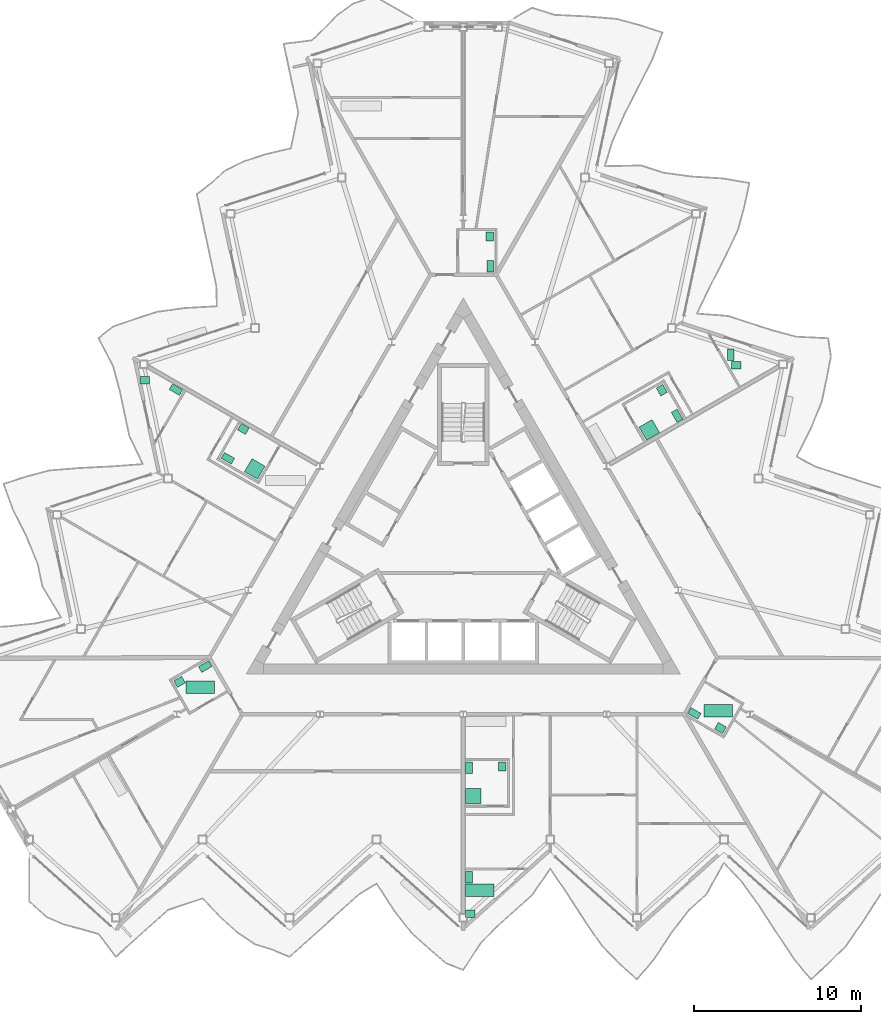
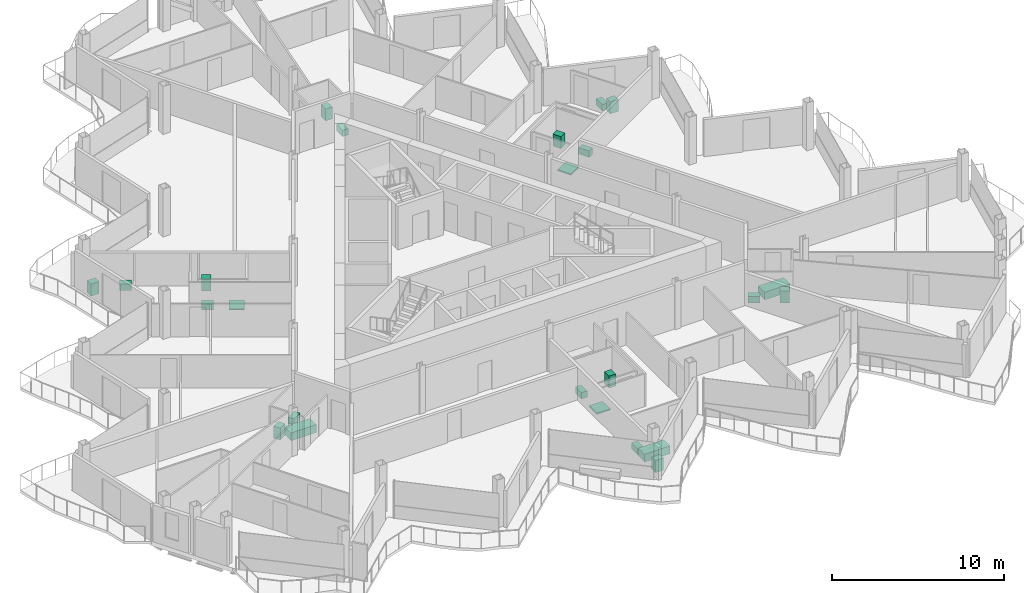
# One storey, part 25 of 26: 24 sanitary terminals.
"""IFC4 building model written with IfcOpenShell, lengths in metres."""

from ifc_helpers import new_model, si_unit, direction, frame, origin, origin_2d, place, context, subcontext, project, spatial, rectangle, extrude, material, type_object, element, save


model = new_model("IFC4")

# Units and contexts
model_context = context("Model", 3, precision=1e-05, world=origin(), true_north=direction((0.0, 1.0)))
body_context = subcontext(model_context, "Body", "Model", "MODEL_VIEW")
ifc_project = project(units=[si_unit("LENGTHUNIT", "METRE"), si_unit("AREAUNIT", "SQUARE_METRE"), si_unit("VOLUMEUNIT", "CUBIC_METRE"), si_unit("PLANEANGLEUNIT", "RADIAN"), si_unit("MASSUNIT", "GRAM", prefix="KILO")], contexts=[model_context])

# Site, building, storey
site_placement = place(None, origin())
site = spatial("IfcSite", under=ifc_project, at=site_placement, CompositionType="ELEMENT")
building_placement = place(site_placement, origin())
building = spatial("IfcBuilding", under=site, at=building_placement, Name="Cormorant Prow Tower", CompositionType="ELEMENT")
storey_placement = place(building_placement, frame((0.0, 0.0, 364.39990234375)))
storey = spatial("IfcBuildingStorey", under=building, at=storey_placement, Name="L81", CompositionType="ELEMENT", Elevation=364.39990234375)

# Sanitary terminals
ifc_material_1 = material(Name="Vitreous china")
sanitary_terminal_type_1 = type_object("IfcSanitaryTerminalType", Name="Bath 1700x750", PredefinedType="BATH", material=ifc_material_1)
for number, where, z_axis, x_axis, name in (
    (1, (0.9951171875, -20.451171875, 0.0), (0.0, 0.0, 1.0), (1.0, 0.0, 0.0), "Bath"),
    (2, (15.260498046875, -9.70068359375, 0.0), (0.0, 0.0, 1.0), (1.0, 0.0, 0.0), "Bath"),
    (3, (-15.75244140625, -8.29248046875, 0.0), (0.0, 0.0, 1.0), (1.0, 0.0, 0.0), "Bath"),
):
    element("IfcSanitaryTerminal", number, at=place(storey_placement, frame(where, z_axis=z_axis, x_axis=x_axis)), inside=storey, type_object=sanitary_terminal_type_1, Name=name, PredefinedType="BATH", context=body_context, shape_type="SweptSolid", body=[
        extrude(rectangle(XDim=1.699951171875, YDim=0.75, at=origin_2d()), origin(), (0.0, 0.0, 1.0), 0.550048828125),
    ])
ifc_material_2 = material(Name="Vitreous china")
sanitary_terminal_type_2 = type_object("IfcSanitaryTerminalType", Name="Shower tray 900x900", PredefinedType="SHOWER", material=ifc_material_2)
for number, where, z_axis, x_axis, name in (
    (4, (0.594970703125, -14.810546875, 0.0), (0.0, 0.0, 1.0), (0.0, 1.0, 0.0), "Shower tray"),
    (5, (11.134521484375, 7.115478515625, 0.0), (0.0, 0.0, 1.0), (-0.5, 0.866025403784, 0.0), "Shower tray"),
    (6, (-12.484619140625, 4.77734375, 0.0), (0.0, 0.0, 1.0), (-0.866025403784, 0.5, 0.0), "Shower tray"),
):
    element("IfcSanitaryTerminal", number, at=place(storey_placement, frame(where, z_axis=z_axis, x_axis=x_axis)), inside=storey, type_object=sanitary_terminal_type_2, Name=name, PredefinedType="SHOWER", context=body_context, shape_type="SweptSolid", body=[
        extrude(rectangle(XDim=0.89990234375, YDim=0.89990234375, at=origin_2d()), origin(), (0.0, 0.0, 1.0), 0.10009765625),
    ])
ifc_material_3 = material(Name="Vitreous china")
sanitary_terminal_type_3 = type_object("IfcSanitaryTerminalType", Name="Wash basin 550x450", PredefinedType="WASHHANDBASIN", material=ifc_material_3)
for number, where, z_axis, x_axis, name in (
    (7, (0.419921875, -21.85107421875, 0.0), (0.0, 0.0, 1.0), (1.0, 0.0, 0.0), "Wash basin"),
    (8, (2.330078125, -13.025634765625, 0.0), (0.0, 0.0, 1.0), (0.0, -1.0, 0.0), "Wash basin"),
    (9, (15.390380859375, -10.72509765625, 0.0), (0.0, 0.0, 1.0), (-0.866025403784, 0.5, 0.0), "Wash basin"),
    (10, (16.337158203125, 10.987060546875, 0.0), (0.0, 0.0, 1.0), (1.0, 0.0, 0.0), "Wash basin"),
    (11, (11.881103515625, 9.4921875, 0.0), (0.0, 0.0, 1.0), (0.5, -0.866025403784, 0.0), "Wash basin"),
    (12, (1.593017578125, 18.691162109375, 0.0), (0.0, 0.0, 1.0), (0.0, -1.0, 0.0), "Wash basin"),
    (13, (-19.0673828125, 10.084228515625, 0.0), (0.0, 0.0, 1.0), (1.0, 0.0, 0.0), "Wash basin"),
    (14, (-13.162841796875, 7.17236328125, 0.0), (0.0, 0.0, 1.0), (0.866025403784, -0.5, 0.0), "Wash basin"),
    (15, (-16.9833984375, -7.966064453125, 0.0), (0.0, 0.0, 1.0), (0.866025403784, 0.5, 0.0), "Wash basin"),
):
    element("IfcSanitaryTerminal", number, at=place(storey_placement, frame(where, z_axis=z_axis, x_axis=x_axis)), inside=storey, type_object=sanitary_terminal_type_3, Name=name, PredefinedType="WASHHANDBASIN", context=body_context, shape_type="SweptSolid", body=[
        extrude(rectangle(XDim=0.550048828125, YDim=0.449951171875, at=origin_2d()), origin(), (0.0, 0.0, 1.0), 0.85009765625),
    ])
ifc_material_4 = material(Name="Vitreous china")
sanitary_terminal_type_4 = type_object("IfcSanitaryTerminalType", Name="Water closet 400x700", PredefinedType="WCSEAT", material=ifc_material_4)
for number, where, z_axis, x_axis, name in (
    (16, (0.344970703125, -19.659423828125, 0.0), (0.0, 0.0, 1.0), (1.0, 0.0, 0.0), "Water closet"),
    (17, (0.344970703125, -13.1005859375, 0.0), (0.0, 0.0, 1.0), (1.0, 0.0, 0.0), "Water closet"),
    (18, (13.83203125, -9.854248046875, 0.0), (0.0, 0.0, 1.0), (0.5, 0.866025403784, 0.0), "Water closet"),
    (19, (16.01220703125, 11.612060546875, 0.0), (0.0, 0.0, 1.0), (1.0, 0.0, 0.0), "Water closet"),
    (20, (12.79541015625, 7.958984375, 0.0), (0.0, 0.0, 1.0), (-0.866025403784, -0.5, 0.0), "Water closet"),
    (21, (1.617919921875, 16.906005859375, 0.0), (0.0, 0.0, 1.0), (-1.0, 0.0, 0.0), "Water closet"),
    (22, (-17.197998046875, 9.531005859375, 0.0), (0.0, 0.0, 1.0), (-0.5, -0.866025403784, 0.0), "Water closet"),
    (23, (-14.09033203125, 5.415771484375, 0.0), (0.0, 0.0, 1.0), (0.5, 0.866025403784, 0.0), "Water closet"),
    (24, (-15.4501953125, -7.0517578125, 0.0), (0.0, 0.0, 1.0), (0.5, -0.866025403784, 0.0), "Water closet"),
):
    element("IfcSanitaryTerminal", number, at=place(storey_placement, frame(where, z_axis=z_axis, x_axis=x_axis)), inside=storey, type_object=sanitary_terminal_type_4, Name=name, PredefinedType="WCSEAT", context=body_context, shape_type="SweptSolid", body=[
        extrude(rectangle(XDim=0.39990234375, YDim=0.699951171875, at=origin_2d()), origin(), (0.0, 0.0, 1.0), 0.449951171875),
    ])

save(model, "model.ifc")
